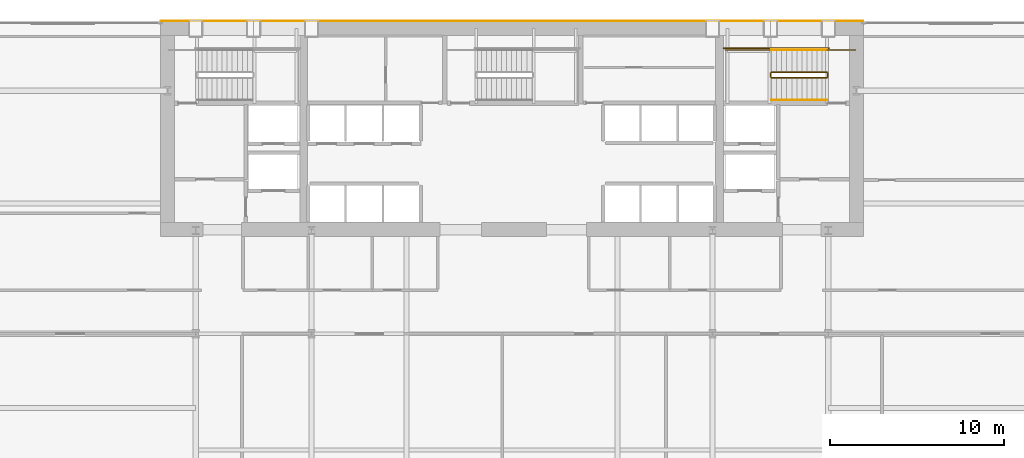
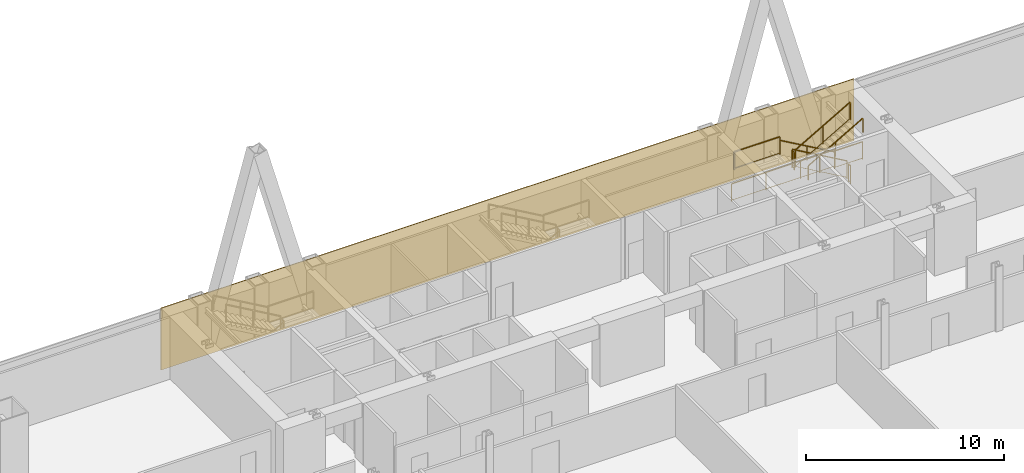
# One storey, part 34 of 35: 9 railings, 1 covering.
"""IFC4 building model written with IfcOpenShell, lengths in metres."""

from ifc_helpers import new_model, si_unit, direction, frame, origin, origin_2d, place, context, subcontext, project, spatial, polyline, rectangle, outline, extrude, material, layer, layer_set, type_object, element, save


model = new_model("IFC4")

# Units and contexts
model_context = context("Model", 3, precision=1e-05, world=origin(), true_north=direction((0.0, 1.0)))
body_context = subcontext(model_context, "Body", "Model", "MODEL_VIEW")
ifc_project = project(units=[si_unit("LENGTHUNIT", "METRE"), si_unit("AREAUNIT", "SQUARE_METRE"), si_unit("VOLUMEUNIT", "CUBIC_METRE"), si_unit("PLANEANGLEUNIT", "RADIAN"), si_unit("MASSUNIT", "GRAM", prefix="KILO")], contexts=[model_context])

# Site, building, storey
site_placement = place(None, origin())
site = spatial("IfcSite", under=ifc_project, at=site_placement, CompositionType="ELEMENT")
building_placement = place(site_placement, origin())
building = spatial("IfcBuilding", under=site, at=building_placement, Name="Khoronbel Lancet Exchange", CompositionType="ELEMENT")
storey_placement = place(building_placement, frame((0.0, 0.0, 37.800048828125)))
storey = spatial("IfcBuildingStorey", under=building, at=storey_placement, Name="L08", CompositionType="ELEMENT", Elevation=37.800048828125)

# Covering
ifc_material_1 = material(Name="Honed Egyptian Limestone & Bronze Rainscreen", Category="masonry")
ifc_layer = layer(ifc_material_1, 0.050048828125, Name="Honed Egyptian Limestone & Bronze Rainscreen")
ifc_layer_set = layer_set([ifc_layer], Name="Honed Egyptian Limestone & Bronze Rainscreen")
covering_type = type_object("IfcCoveringType", Name="COV-CLAD1", PredefinedType="CLADDING", material=ifc_layer_set)
covering_placement = place(storey_placement, origin())
element("IfcCovering", 1, at=covering_placement, inside=storey, type_object=covering_type, Name="Level L08 north rear-core stone and bronze rainscreen cladding", PredefinedType="CLADDING", context=body_context, shape_type="SweptSolid", body=[
    extrude(outline(polyline([(16.199951171875, 53.699951171875), (56.699951171875, 53.699951171875), (56.699951171875, 53.75), (16.199951171875, 53.75), (16.199951171875, 53.699951171875)])), origin(), (0.0, 0.0, 1.0), 3.820068359375),
])

# Railings
ifc_material_2 = material(Name="Painted Steel Balustrade", Category="steel")
railing_type_1 = type_object("IfcRailingType", Name="RL-STG110", PredefinedType="GUARDRAIL", material=ifc_material_2)
railing_1_placement = place(storey_placement, frame((54.60009765625, 50.77001953125, 0.16650390625)))
element("IfcRailing", 2, at=railing_1_placement, inside=storey, type_object=railing_type_1, Name="L08 ST2 stair guard 1", PredefinedType="GUARDRAIL", context=body_context, shape_type="SweptSolid", body=[
    extrude(rectangle(XDim=0.048095703125, YDim=0.048095703125, at=origin_2d()), frame((0.0, 0.0, 1.09619140625), z_axis=(-0.867007354286, 0.0, 0.498295341753), x_axis=(0.0, -1.0, 0.0)), (0.0, 0.0, 1.0), 3.679443359375),
    extrude(rectangle(XDim=0.02392578125, YDim=0.02392578125, at=origin_2d()), frame((0.0, 0.0, 0.080078125), z_axis=(-0.867007354286, 0.0, 0.498295341753), x_axis=(0.0, -1.0, 0.0)), (0.0, 0.0, 1.0), 3.679443359375),
    extrude(rectangle(XDim=0.0419921875, YDim=0.0419921875, at=origin_2d()), origin(), (0.0, 0.0, 1.0), 1.072021484375),
    extrude(rectangle(XDim=0.0419921875, YDim=0.0419921875, at=origin_2d()), frame((-1.59521484375, 0.0, 0.916748046875)), (0.0, 0.0, 1.0), 1.072021484375),
    extrude(rectangle(XDim=0.0419921875, YDim=0.0419921875, at=origin_2d()), frame((-3.190185546875, 0.0, 1.83349609375)), (0.0, 0.0, 1.0), 1.072021484375),
])
railing_2_placement = place(storey_placement, frame((51.360107421875, 50.719970703125, 2.0)))
element("IfcRailing", 3, at=railing_2_placement, inside=storey, type_object=railing_type_1, Name="L08 ST2 stair guard 2", PredefinedType="GUARDRAIL", context=body_context, shape_type="SweptSolid", body=[
    extrude(rectangle(XDim=0.048095703125, YDim=0.048095703125, at=origin_2d()), frame((0.0, 0.0, 1.09619140625), z_axis=(0.0, -1.0, 0.0), x_axis=(1.0, 0.0, 0.0)), (0.0, 0.0, 1.0), 0.219970703125),
    extrude(rectangle(XDim=0.02392578125, YDim=0.02392578125, at=origin_2d()), frame((0.0, 0.0, 0.080078125), z_axis=(0.0, -1.0, 0.0), x_axis=(1.0, 0.0, 0.0)), (0.0, 0.0, 1.0), 0.219970703125),
    extrude(rectangle(XDim=0.0419921875, YDim=0.0419921875, at=origin_2d()), origin(), (0.0, 0.0, 1.0), 1.072021484375),
    extrude(rectangle(XDim=0.0419921875, YDim=0.0419921875, at=origin_2d()), frame((0.0, -0.219970703125, 0.0)), (0.0, 0.0, 1.0), 1.072021484375),
])
railing_3_placement = place(storey_placement, frame((51.409912109375, 52.050048828125, 2.0)))
element("IfcRailing", 4, at=railing_3_placement, inside=storey, type_object=railing_type_1, Name="L08 ST2 stair guard 3", PredefinedType="GUARDRAIL", context=body_context, shape_type="SweptSolid", body=[
    extrude(rectangle(XDim=0.048095703125, YDim=0.048095703125, at=origin_2d()), frame((0.0, 0.0, 1.09619140625), z_axis=(-1.0, 0.0, 0.0), x_axis=(0.0, -1.0, 0.0)), (0.0, 0.0, 1.0), 2.659912109375),
    extrude(rectangle(XDim=0.02392578125, YDim=0.02392578125, at=origin_2d()), frame((0.0, 0.0, 0.080078125), z_axis=(-1.0, 0.0, 0.0), x_axis=(0.0, -1.0, 0.0)), (0.0, 0.0, 1.0), 2.659912109375),
    extrude(rectangle(XDim=0.0419921875, YDim=0.0419921875, at=origin_2d()), origin(), (0.0, 0.0, 1.0), 1.072021484375),
    extrude(rectangle(XDim=0.0419921875, YDim=0.0419921875, at=origin_2d()), frame((-2.659912109375, 0.0, 0.0)), (0.0, 0.0, 1.0), 1.072021484375),
])
railing_4_placement = place(storey_placement, frame((51.409912109375, 50.449951171875, 2.16650390625)))
element("IfcRailing", 5, at=railing_4_placement, inside=storey, type_object=railing_type_1, Name="L08 ST2 stair guard 4", PredefinedType="GUARDRAIL", context=body_context, shape_type="SweptSolid", body=[
    extrude(rectangle(XDim=0.048095703125, YDim=0.048095703125, at=origin_2d()), frame((0.0, 0.0, 1.09619140625), z_axis=(0.867007354286, 0.0, 0.498295341753), x_axis=(0.0, 1.0, 0.0)), (0.0, 0.0, 1.0), 3.679443359375),
    extrude(rectangle(XDim=0.02392578125, YDim=0.02392578125, at=origin_2d()), frame((0.0, 0.0, 0.080078125), z_axis=(0.867007354286, 0.0, 0.498295341753), x_axis=(0.0, 1.0, 0.0)), (0.0, 0.0, 1.0), 3.679443359375),
    extrude(rectangle(XDim=0.0419921875, YDim=0.0419921875, at=origin_2d()), origin(), (0.0, 0.0, 1.0), 1.072021484375),
    extrude(rectangle(XDim=0.0419921875, YDim=0.0419921875, at=origin_2d()), frame((1.59521484375, 0.0, 0.916748046875)), (0.0, 0.0, 1.0), 1.072021484375),
    extrude(rectangle(XDim=0.0419921875, YDim=0.0419921875, at=origin_2d()), frame((3.190185546875, 0.0, 1.83349609375)), (0.0, 0.0, 1.0), 1.072021484375),
])
railing_5_placement = place(storey_placement, frame((54.64990234375, 50.719970703125, 0.0)))
element("IfcRailing", 6, at=railing_5_placement, inside=storey, type_object=railing_type_1, Name="L08 ST2 stair guard 5", PredefinedType="GUARDRAIL", context=body_context, shape_type="SweptSolid", body=[
    extrude(rectangle(XDim=0.048095703125, YDim=0.048095703125, at=origin_2d()), frame((0.0, 0.0, 1.09619140625), z_axis=(0.0, -1.0, 0.0), x_axis=(1.0, 0.0, 0.0)), (0.0, 0.0, 1.0), 0.219970703125),
    extrude(rectangle(XDim=0.02392578125, YDim=0.02392578125, at=origin_2d()), frame((0.0, 0.0, 0.080078125), z_axis=(0.0, -1.0, 0.0), x_axis=(1.0, 0.0, 0.0)), (0.0, 0.0, 1.0), 0.219970703125),
    extrude(rectangle(XDim=0.0419921875, YDim=0.0419921875, at=origin_2d()), origin(), (0.0, 0.0, 1.0), 1.072021484375),
    extrude(rectangle(XDim=0.0419921875, YDim=0.0419921875, at=origin_2d()), frame((0.0, -0.219970703125, 0.0)), (0.0, 0.0, 1.0), 1.072021484375),
])
railing_6_placement = place(storey_placement, frame((56.25, 52.050048828125, 0.0)))
element("IfcRailing", 7, at=railing_6_placement, inside=storey, type_object=railing_type_1, Name="L08 ST2 stair guard 6", PredefinedType="GUARDRAIL", context=body_context, shape_type="SweptSolid", body=[
    extrude(rectangle(XDim=0.048095703125, YDim=0.048095703125, at=origin_2d()), frame((0.0, 0.0, 1.09619140625), z_axis=(-1.0, 0.0, 0.0), x_axis=(0.0, -1.0, 0.0)), (0.0, 0.0, 1.0), 1.64990234375),
    extrude(rectangle(XDim=0.02392578125, YDim=0.02392578125, at=origin_2d()), frame((0.0, 0.0, 0.080078125), z_axis=(-1.0, 0.0, 0.0), x_axis=(0.0, -1.0, 0.0)), (0.0, 0.0, 1.0), 1.64990234375),
    extrude(rectangle(XDim=0.0419921875, YDim=0.0419921875, at=origin_2d()), origin(), (0.0, 0.0, 1.0), 1.072021484375),
    extrude(rectangle(XDim=0.0419921875, YDim=0.0419921875, at=origin_2d()), frame((-1.64990234375, 0.0, 0.0)), (0.0, 0.0, 1.0), 1.072021484375),
])
railing_7_placement = place(storey_placement, frame((54.699951171875, 52.14990234375, 0.0)))
element("IfcRailing", 8, at=railing_7_placement, inside=storey, type_object=railing_type_1, Name="L08 ST2 stair guard 7", PredefinedType="GUARDRAIL", context=body_context, shape_type="SweptSolid", body=[
    extrude(rectangle(XDim=0.048095703125, YDim=0.048095703125, at=origin_2d()), frame((0.0, 0.0, 1.09619140625), z_axis=(-1.0, 0.0, 0.0), x_axis=(0.0, -1.0, 0.0)), (0.0, 0.0, 1.0), 6.050048828125),
    extrude(rectangle(XDim=0.02392578125, YDim=0.02392578125, at=origin_2d()), frame((0.0, 0.0, 0.080078125), z_axis=(-1.0, 0.0, 0.0), x_axis=(0.0, -1.0, 0.0)), (0.0, 0.0, 1.0), 6.050048828125),
    extrude(rectangle(XDim=0.0419921875, YDim=0.0419921875, at=origin_2d()), origin(), (0.0, 0.0, 1.0), 1.072021484375),
    extrude(rectangle(XDim=0.0419921875, YDim=0.0419921875, at=origin_2d()), frame((-2.0166015625, 0.0, 0.0)), (0.0, 0.0, 1.0), 1.072021484375),
    extrude(rectangle(XDim=0.0419921875, YDim=0.0419921875, at=origin_2d()), frame((-4.033447265625, 0.0, 0.0)), (0.0, 0.0, 1.0), 1.072021484375),
    extrude(rectangle(XDim=0.0419921875, YDim=0.0419921875, at=origin_2d()), frame((-6.050048828125, 0.0, 0.0)), (0.0, 0.0, 1.0), 1.072021484375),
])
ifc_material_3 = material(Name="Brushed Stainless Steel 316", Category="steel")
railing_type_2 = type_object("IfcRailingType", Name="RL-STH92", PredefinedType="HANDRAIL", material=ifc_material_3)
railing_8_placement = place(storey_placement, frame((54.60009765625, 52.050048828125, 0.16650390625)))
element("IfcRailing", 9, at=railing_8_placement, inside=storey, type_object=railing_type_2, Name="L08 ST2 stair handrail 1", PredefinedType="HANDRAIL", context=body_context, shape_type="SweptSolid", body=[
    extrude(rectangle(XDim=0.048095703125, YDim=0.048095703125, at=origin_2d()), frame((0.0, 0.0, 0.8759765625), z_axis=(-0.867007354286, 0.0, 0.498295341753), x_axis=(0.0, -1.0, 0.0)), (0.0, 0.0, 1.0), 3.679443359375),
    extrude(rectangle(XDim=0.0419921875, YDim=0.0419921875, at=origin_2d()), origin(), (0.0, 0.0, 1.0), 0.851806640625),
    extrude(rectangle(XDim=0.0419921875, YDim=0.0419921875, at=origin_2d()), frame((-1.59521484375, 0.0, 0.916748046875)), (0.0, 0.0, 1.0), 0.851806640625),
    extrude(rectangle(XDim=0.0419921875, YDim=0.0419921875, at=origin_2d()), frame((-3.190185546875, 0.0, 1.83349609375)), (0.0, 0.0, 1.0), 0.851806640625),
])
railing_9_placement = place(storey_placement, frame((51.409912109375, 49.169921875, 2.16650390625)))
element("IfcRailing", 10, at=railing_9_placement, inside=storey, type_object=railing_type_2, Name="L08 ST2 stair handrail 2", PredefinedType="HANDRAIL", context=body_context, shape_type="SweptSolid", body=[
    extrude(rectangle(XDim=0.048095703125, YDim=0.048095703125, at=origin_2d()), frame((0.0, 0.0, 0.8759765625), z_axis=(0.867007354286, 0.0, 0.498295341753), x_axis=(0.0, 1.0, 0.0)), (0.0, 0.0, 1.0), 3.679443359375),
    extrude(rectangle(XDim=0.0419921875, YDim=0.0419921875, at=origin_2d()), origin(), (0.0, 0.0, 1.0), 0.851806640625),
    extrude(rectangle(XDim=0.0419921875, YDim=0.0419921875, at=origin_2d()), frame((1.59521484375, 0.0, 0.916748046875)), (0.0, 0.0, 1.0), 0.851806640625),
    extrude(rectangle(XDim=0.0419921875, YDim=0.0419921875, at=origin_2d()), frame((3.190185546875, 0.0, 1.83349609375)), (0.0, 0.0, 1.0), 0.851806640625),
])

save(model, "model.ifc")
